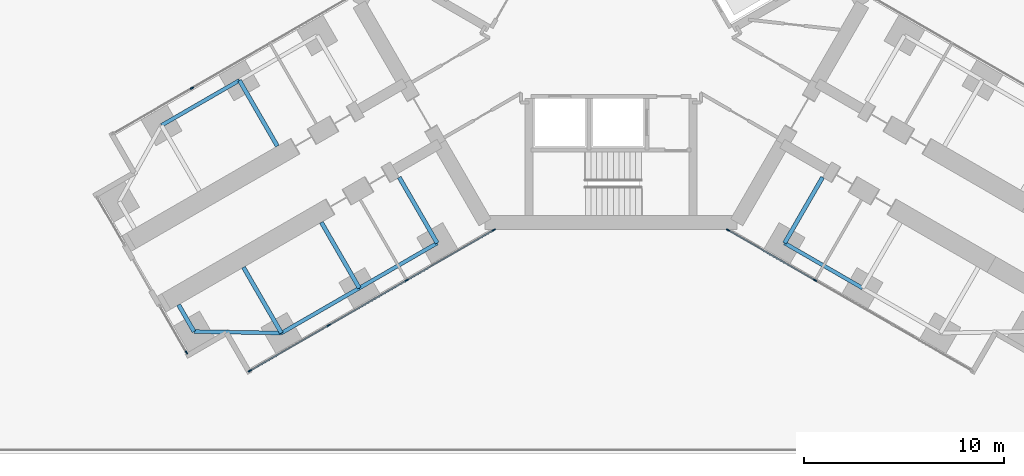
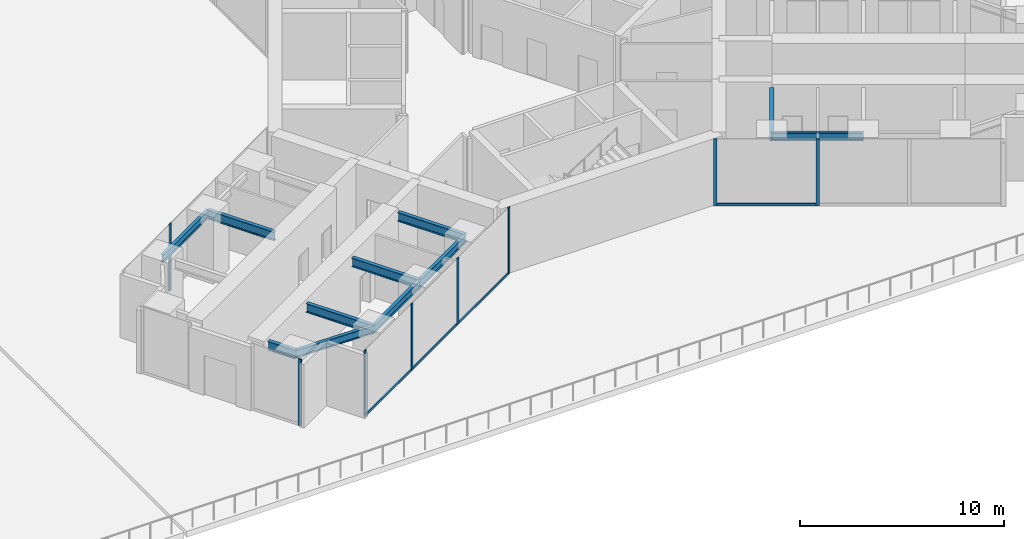
# One storey, part 6 of 23: 12 members, 11 beams, 4 elements without a shape of their own.
"""IFC4 building model written with IfcOpenShell, lengths in metres."""

from ifc_helpers import new_model, si_unit, direction, frame, origin, origin_2d, place, context, subcontext, project, spatial, rectangle, i_section, extrude, material, material_profile, profile_set, type_object, element, aggregate, save


model = new_model("IFC4")

# Units and contexts
model_context = context("Model", 3, precision=1e-05, world=origin(), true_north=direction((0.0, 1.0)))
body_context = subcontext(model_context, "Body", "Model", "MODEL_VIEW")
ifc_project = project(units=[si_unit("LENGTHUNIT", "METRE"), si_unit("AREAUNIT", "SQUARE_METRE"), si_unit("VOLUMEUNIT", "CUBIC_METRE"), si_unit("PLANEANGLEUNIT", "RADIAN"), si_unit("MASSUNIT", "GRAM", prefix="KILO")], contexts=[model_context])

# Site, building, storey
site_placement = place(None, origin())
site = spatial("IfcSite", under=ifc_project, at=site_placement, CompositionType="ELEMENT")
building_placement = place(site_placement, origin())
building = spatial("IfcBuilding", under=site, at=building_placement, Name="Upepo Twin Towers", CompositionType="ELEMENT")
storey_placement = place(building_placement, frame((0.0, 0.0, 20.5)))
storey = spatial("IfcBuildingStorey", under=building, at=storey_placement, Name="L04", CompositionType="ELEMENT", Elevation=20.5)

# Beams
ifc_material_1 = material(Name="Steel S355", Category="steel")
ifc_material_profile_1 = material_profile(ifc_material_1, i_section(OverallWidth=0.1904296875, OverallDepth=0.45703125, WebThickness=0.009033203125, FlangeThickness=0.014404296875, FilletRadius=0.01025390625, at=origin_2d()), Name="UB 457x191x74")
ifc_profile_set_1 = profile_set([ifc_material_profile_1], Name="Steel S355")
beam_type_1 = type_object("IfcBeamType", Name="Beam UB 457x191x74", PredefinedType="BEAM", material=ifc_profile_set_1)
beam_1_placement = place(storey_placement, frame((49.80859375, -29.946044921875, 3.571533203125), z_axis=(-0.866017533419, -0.500013631625, 0.0), x_axis=(0.500013631625, -0.866017533419, 0.0)))
element("IfcBeam", 1, at=beam_1_placement, inside=storey, type_object=beam_type_1, Name="T2 edge beam BL 13.5-18.0", PredefinedType="BEAM", context=body_context, shape_type="SweptSolid", body=[
    extrude(i_section(OverallWidth=0.1904296875, OverallDepth=0.45703125, WebThickness=0.009033203125, FlangeThickness=0.014404296875, FilletRadius=0.01025390625, at=origin_2d()), origin(), (0.0, 0.0, 1.0), 4.499755859375),
])
beam_2_placement = place(storey_placement, frame((45.91162109375, -32.196044921875, 3.571533203125), z_axis=(-0.866031096941, -0.499990139034, 0.0), x_axis=(0.499990139034, -0.866031096941, 0.0)))
element("IfcBeam", 2, at=beam_2_placement, inside=storey, type_object=beam_type_1, Name="T2 edge beam BL 18.0-22.5", PredefinedType="BEAM", context=body_context, shape_type="SweptSolid", body=[
    extrude(i_section(OverallWidth=0.1904296875, OverallDepth=0.45703125, WebThickness=0.009033203125, FlangeThickness=0.014404296875, FilletRadius=0.01025390625, at=origin_2d()), origin(), (0.0, 0.0, 1.0), 4.5),
])
beam_3_placement = place(storey_placement, frame((42.014404296875, -34.446044921875, 3.571533203125), z_axis=(-0.999858804832, 0.016803880528, 0.0), x_axis=(-0.016803880528, -0.999858804832, 0.0)))
element("IfcBeam", 3, at=beam_3_placement, inside=storey, type_object=beam_type_1, Name="T2 nose edge beam BL", PredefinedType="BEAM", context=body_context, shape_type="SweptSolid", body=[
    extrude(i_section(OverallWidth=0.1904296875, OverallDepth=0.45703125, WebThickness=0.009033203125, FlangeThickness=0.014404296875, FilletRadius=0.01025390625, at=origin_2d()), origin(), (0.0, 0.0, 1.0), 4.373291015625),
])
beam_4_placement = place(storey_placement, frame((39.91162109375, -21.803955078125, 3.571533203125), z_axis=(-0.866031096941, -0.499990139034, 0.0), x_axis=(0.499990139034, -0.866031096941, 0.0)))
element("IfcBeam", 4, at=beam_4_placement, inside=storey, type_object=beam_type_1, Name="T2 edge beam BR 18.0-22.5", PredefinedType="BEAM", context=body_context, shape_type="SweptSolid", body=[
    extrude(i_section(OverallWidth=0.1904296875, OverallDepth=0.45703125, WebThickness=0.009033203125, FlangeThickness=0.014404296875, FilletRadius=0.01025390625, at=origin_2d()), origin(), (0.0, 0.0, 1.0), 4.5),
])
beam_5_placement = place(storey_placement, frame((67.19140625, -29.946044921875, 3.571533203125), z_axis=(0.866017533419, -0.500013631625, 0.0), x_axis=(0.500013631625, 0.866017533419, 0.0)))
element("IfcBeam", 5, at=beam_5_placement, inside=storey, type_object=beam_type_1, Name="T2 edge beam CR 13.5-18.0", PredefinedType="BEAM", context=body_context, shape_type="SweptSolid", body=[
    extrude(i_section(OverallWidth=0.1904296875, OverallDepth=0.45703125, WebThickness=0.009033203125, FlangeThickness=0.014404296875, FilletRadius=0.01025390625, at=origin_2d()), origin(), (0.0, 0.0, 1.0), 4.499755859375),
])
ifc_material_2 = material(Name="Steel S355", Category="steel")
ifc_material_profile_2 = material_profile(ifc_material_2, i_section(OverallWidth=0.2099609375, OverallDepth=0.53662109375, WebThickness=0.0107421875, FlangeThickness=0.017333984375, FilletRadius=0.0126953125, at=origin_2d()), Name="UB 533x210x101")
ifc_profile_set_2 = profile_set([ifc_material_profile_2], Name="Steel S355")
beam_type_2 = type_object("IfcBeamType", Name="Beam UB 533x210x101", PredefinedType="BEAM", material=ifc_profile_set_2)
beam_6_placement = place(storey_placement, frame((37.641845703125, -34.37255859375, 3.53173828125), z_axis=(-0.499967891604, 0.866043940782, 0.0), x_axis=(-0.866043940782, -0.499967891604, 0.0)))
element("IfcBeam", 6, at=beam_6_placement, inside=storey, type_object=beam_type_2, Name="T2 nose beam BL", PredefinedType="BEAM", context=body_context, shape_type="SweptSolid", body=[
    extrude(i_section(OverallWidth=0.2099609375, OverallDepth=0.53662109375, WebThickness=0.0107421875, FlangeThickness=0.017333984375, FilletRadius=0.0126953125, at=origin_2d()), origin(), (0.0, 0.0, 1.0), 1.5498046875),
])
ifc_material_3 = material(Name="Steel S355", Category="steel")
ifc_material_profile_3 = material_profile(ifc_material_3, i_section(OverallWidth=0.209228515625, OverallDepth=0.533203125, WebThickness=0.010009765625, FlangeThickness=0.015625, FilletRadius=0.0126953125, at=origin_2d()), Name="UB 533x210x92")
ifc_profile_set_3 = profile_set([ifc_material_profile_3], Name="Steel S355")
beam_type_3 = type_object("IfcBeamType", Name="Beam UB 533x210x92", PredefinedType="BEAM", material=ifc_profile_set_3)
beam_7_placement = place(storey_placement, frame((49.80859375, -29.946044921875, 3.533447265625), z_axis=(-0.499994975061, 0.866028304915, 0.0), x_axis=(-0.866028304915, -0.499994975061, 0.0)))
element("IfcBeam", 7, at=beam_7_placement, inside=storey, type_object=beam_type_3, Name="T2 girder BL at 13.5", PredefinedType="BEAM", context=body_context, shape_type="SweptSolid", body=[
    extrude(i_section(OverallWidth=0.209228515625, OverallDepth=0.533203125, WebThickness=0.010009765625, FlangeThickness=0.015625, FilletRadius=0.0126953125, at=origin_2d()), origin(), (0.0, 0.0, 1.0), 3.7998046875),
])
beam_8_placement = place(storey_placement, frame((45.91162109375, -32.196044921875, 3.533447265625), z_axis=(-0.500043160704, 0.866000483506, 0.0), x_axis=(-0.866000483506, -0.500043160704, 0.0)))
element("IfcBeam", 8, at=beam_8_placement, inside=storey, type_object=beam_type_3, Name="T2 girder BL at 18.0", PredefinedType="BEAM", context=body_context, shape_type="SweptSolid", body=[
    extrude(i_section(OverallWidth=0.209228515625, OverallDepth=0.533203125, WebThickness=0.010009765625, FlangeThickness=0.015625, FilletRadius=0.0126953125, at=origin_2d()), origin(), (0.0, 0.0, 1.0), 3.800048828125),
])
for number, where, z_axis, x_axis, name in (
    (9, (42.014404296875, -34.446044921875, 3.533447265625), (-0.499994975061, 0.866028304915, 0.0), (-0.866028304915, -0.499994975061, 0.0), "T2 girder BL at 22.5"),
    (10, (39.91162109375, -21.803955078125, 3.533447265625), (0.499994975061, -0.866028304915, 0.0), (0.866028304915, 0.499994975061, 0.0), "T2 girder BR at 18.0"),
    (11, (67.19140625, -29.946044921875, 3.533447265625), (0.499994975061, 0.866028304915, 0.0), (-0.866028304915, 0.499994975061, 0.0), "T2 girder CR at 13.5"),
):
    element("IfcBeam", number, at=place(storey_placement, frame(where, z_axis=z_axis, x_axis=x_axis)), inside=storey, type_object=beam_type_3, Name=name, PredefinedType="BEAM", context=body_context, shape_type="SweptSolid", body=[
        extrude(i_section(OverallWidth=0.209228515625, OverallDepth=0.533203125, WebThickness=0.010009765625, FlangeThickness=0.015625, FilletRadius=0.0126953125, at=origin_2d()), origin(), (0.0, 0.0, 1.0), 3.7998046875),
    ])

# Curtain wall, members
ifc_material_4 = material(Name="Aluminium and fritted glass", Category="aluminium")
curtain_wall_type = type_object("IfcCurtainWallType", Name="Tower curtain wall TW1, fritted glass", PredefinedType="NOTDEFINED", material=ifc_material_4)
curtain_wall_1_placement = place(storey_placement, origin())
curtain_wall_1 = element("IfcCurtainWall", 12, at=curtain_wall_1_placement, inside=storey, type_object=curtain_wall_type, Name="T2 L04 wing B flank L curtain wall", PredefinedType="NOTDEFINED")
ifc_material_5 = material(Name="Aluminium mullion", Category="aluminium")
ifc_material_profile_4 = material_profile(ifc_material_5, rectangle(XDim=0.06494140625, YDim=0.179931640625, at=origin_2d()), Name="MULLION 65x180")
ifc_profile_set_4 = profile_set([ifc_material_profile_4], Name="Aluminium mullion")
member_type_1 = type_object("IfcMemberType", Name="Mullion 65x180 TW1", PredefinedType="MULLION", material=ifc_profile_set_4)
member_1_placement = place(storey_placement, frame((52.6416015625, -29.2919921875, 0.0), z_axis=(0.0, 0.0, 1.0), x_axis=(0.500000024426, -0.866025389682, 0.0)))
member_1 = element("IfcMember", 13, at=member_1_placement, type_object=member_type_1, Name="T2 L04 wing B flank L curtain wall mullion 1", PredefinedType="MULLION", context=body_context, shape_type="SweptSolid", body=[
    extrude(rectangle(XDim=0.06494140625, YDim=0.179931640625, at=origin_2d()), origin(), (0.0, 0.0, 1.0), 4.0),
])
member_2_placement = place(storey_placement, frame((48.28515625, -31.807373046875, 0.0), z_axis=(0.0, 0.0, 1.0), x_axis=(0.500000024426, -0.866025389682, 0.0)))
member_2 = element("IfcMember", 14, at=member_2_placement, type_object=member_type_1, Name="T2 L04 wing B flank L curtain wall mullion 2", PredefinedType="MULLION", context=body_context, shape_type="SweptSolid", body=[
    extrude(rectangle(XDim=0.06494140625, YDim=0.179931640625, at=origin_2d()), origin(), (0.0, 0.0, 1.0), 4.0),
])
member_3_placement = place(storey_placement, frame((44.387939453125, -34.057373046875, 0.0), z_axis=(0.0, 0.0, 1.0), x_axis=(0.500000024426, -0.866025389682, 0.0)))
member_3 = element("IfcMember", 15, at=member_3_placement, type_object=member_type_1, Name="T2 L04 wing B flank L curtain wall mullion 3", PredefinedType="MULLION", context=body_context, shape_type="SweptSolid", body=[
    extrude(rectangle(XDim=0.06494140625, YDim=0.179931640625, at=origin_2d()), origin(), (0.0, 0.0, 1.0), 4.0),
])
member_4_placement = place(storey_placement, frame((40.432373046875, -36.341064453125, 0.0), z_axis=(0.0, 0.0, 1.0), x_axis=(0.500000024426, -0.866025389682, 0.0)))
member_4 = element("IfcMember", 16, at=member_4_placement, type_object=member_type_1, Name="T2 L04 wing B flank L curtain wall mullion 4", PredefinedType="MULLION", context=body_context, shape_type="SweptSolid", body=[
    extrude(rectangle(XDim=0.06494140625, YDim=0.179931640625, at=origin_2d()), origin(), (0.0, 0.0, 1.0), 4.0),
])

# Curtain wall, member
curtain_wall_2_placement = place(storey_placement, origin())
curtain_wall_2 = element("IfcCurtainWall", 17, at=curtain_wall_2_placement, inside=storey, type_object=curtain_wall_type, Name="T2 L04 wing B flank R curtain wall", PredefinedType="NOTDEFINED")
member_5_placement = place(storey_placement, frame((37.5380859375, -22.192626953125, 0.0), z_axis=(0.0, 0.0, 1.0), x_axis=(-0.500000024426, 0.866025389682, 0.0)))
member_5 = element("IfcMember", 18, at=member_5_placement, type_object=member_type_1, Name="T2 L04 wing B flank R curtain wall mullion 2", PredefinedType="MULLION", context=body_context, shape_type="SweptSolid", body=[
    extrude(rectangle(XDim=0.06494140625, YDim=0.179931640625, at=origin_2d()), origin(), (0.0, 0.0, 1.0), 4.0),
])
aggregate(curtain_wall_2, [member_5])

curtain_wall_3_placement = place(storey_placement, origin())
curtain_wall_3 = element("IfcCurtainWall", 19, at=curtain_wall_3_placement, inside=storey, type_object=curtain_wall_type, Name="T2 L04 wing B nose curtain wall 2", PredefinedType="NOTDEFINED")
member_6_placement = place(storey_placement, frame((37.264404296875, -35.4189453125, 0.0), z_axis=(0.0, 0.0, 1.0), x_axis=(0.866025416473, 0.499999978023, 0.0)))
member_6 = element("IfcMember", 20, at=member_6_placement, type_object=member_type_1, Name="T2 L04 wing B nose curtain wall 2 mullion 2", PredefinedType="MULLION", context=body_context, shape_type="SweptSolid", body=[
    extrude(rectangle(XDim=0.06494140625, YDim=0.179931640625, at=origin_2d()), origin(), (0.0, 0.0, 1.0), 4.0),
])
aggregate(curtain_wall_3, [member_6])

# Curtain wall, members
curtain_wall_4_placement = place(storey_placement, origin())
curtain_wall_4 = element("IfcCurtainWall", 21, at=curtain_wall_4_placement, inside=storey, type_object=curtain_wall_type, Name="T2 L04 wing C flank R curtain wall", PredefinedType="NOTDEFINED")
member_7_placement = place(storey_placement, frame((68.71484375, -31.807373046875, 0.0), z_axis=(0.0, 0.0, 1.0), x_axis=(-0.500000024426, -0.866025389682, 0.0)))
member_7 = element("IfcMember", 22, at=member_7_placement, type_object=member_type_1, Name="T2 L04 wing C flank R curtain wall mullion 3", PredefinedType="MULLION", context=body_context, shape_type="SweptSolid", body=[
    extrude(rectangle(XDim=0.06494140625, YDim=0.179931640625, at=origin_2d()), origin(), (0.0, 0.0, 1.0), 4.0),
])
member_8_placement = place(storey_placement, frame((64.3583984375, -29.2919921875, 0.0), z_axis=(0.0, 0.0, 1.0), x_axis=(-0.500000024426, -0.866025389682, 0.0)))
member_8 = element("IfcMember", 23, at=member_8_placement, type_object=member_type_1, Name="T2 L04 wing C flank R curtain wall mullion 4", PredefinedType="MULLION", context=body_context, shape_type="SweptSolid", body=[
    extrude(rectangle(XDim=0.06494140625, YDim=0.179931640625, at=origin_2d()), origin(), (0.0, 0.0, 1.0), 4.0),
])

# Member
ifc_material_6 = material(Name="Aluminium transom", Category="aluminium")
ifc_material_profile_5 = material_profile(ifc_material_6, rectangle(XDim=0.06494140625, YDim=0.14990234375, at=origin_2d()), Name="TRANSOM 65x150")
ifc_profile_set_5 = profile_set([ifc_material_profile_5], Name="Aluminium transom")
member_type_2 = type_object("IfcMemberType", Name="Transom 65x150 TW1", PredefinedType="USERDEFINED", material=ifc_profile_set_5)
member_9_placement = place(storey_placement, frame((52.61328125, -29.308349609375, 0.074951171875), z_axis=(-0.866022642139, -0.50000478328, 0.0), x_axis=(0.50000478328, -0.866022642139, 0.0)))
member_9 = element("IfcMember", 24, at=member_9_placement, type_object=member_type_2, Name="T2 L04 wing B flank L curtain wall transom 1", ObjectType="TRANSOM", PredefinedType="USERDEFINED", context=body_context, shape_type="SweptSolid", body=[
    extrude(rectangle(XDim=0.06494140625, YDim=0.14990234375, at=origin_2d()), origin(), (0.0, 0.0, 1.0), 4.96533203125),
])

member_10_placement = place(storey_placement, frame((48.2568359375, -31.823486328125, 0.074951171875), z_axis=(-0.866022410713, -0.500005184116, 0.0), x_axis=(0.500005184116, -0.866022410713, 0.0)))
member_10 = element("IfcMember", 25, at=member_10_placement, type_object=member_type_2, Name="T2 L04 wing B flank L curtain wall transom 2", ObjectType="TRANSOM", PredefinedType="USERDEFINED", context=body_context, shape_type="SweptSolid", body=[
    extrude(rectangle(XDim=0.06494140625, YDim=0.14990234375, at=origin_2d()), origin(), (0.0, 0.0, 1.0), 4.43505859375),
])

member_11_placement = place(storey_placement, frame((44.35986328125, -34.073486328125, 0.074951171875), z_axis=(-0.866035699072, -0.499982167615, 0.0), x_axis=(0.499982167615, -0.866035699072, 0.0)))
member_11 = element("IfcMember", 26, at=member_11_placement, type_object=member_type_2, Name="T2 L04 wing B flank L curtain wall transom 3", ObjectType="TRANSOM", PredefinedType="USERDEFINED", context=body_context, shape_type="SweptSolid", body=[
    extrude(rectangle(XDim=0.06494140625, YDim=0.14990234375, at=origin_2d()), origin(), (0.0, 0.0, 1.0), 4.502685546875),
])

aggregate(curtain_wall_1, [member_1, member_2, member_3, member_4, member_9, member_10, member_11])

member_12_placement = place(storey_placement, frame((68.686767578125, -31.791015625, 0.074951171875), z_axis=(-0.866022642139, 0.50000478328, 0.0), x_axis=(-0.50000478328, -0.866022642139, 0.0)))
member_12 = element("IfcMember", 27, at=member_12_placement, type_object=member_type_2, Name="T2 L04 wing C flank R curtain wall transom 3", ObjectType="TRANSOM", PredefinedType="USERDEFINED", context=body_context, shape_type="SweptSolid", body=[
    extrude(rectangle(XDim=0.06494140625, YDim=0.14990234375, at=origin_2d()), origin(), (0.0, 0.0, 1.0), 4.96533203125),
])

aggregate(curtain_wall_4, [member_7, member_8, member_12])

save(model, "model.ifc")
